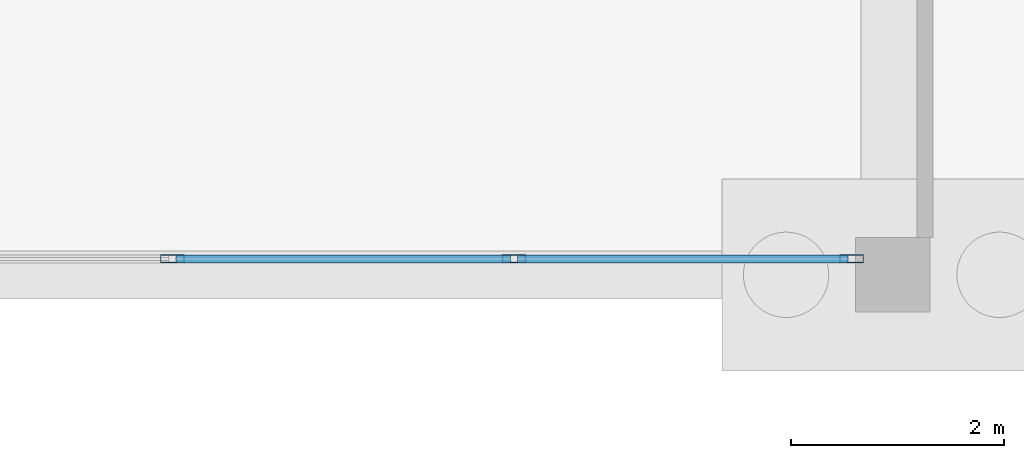
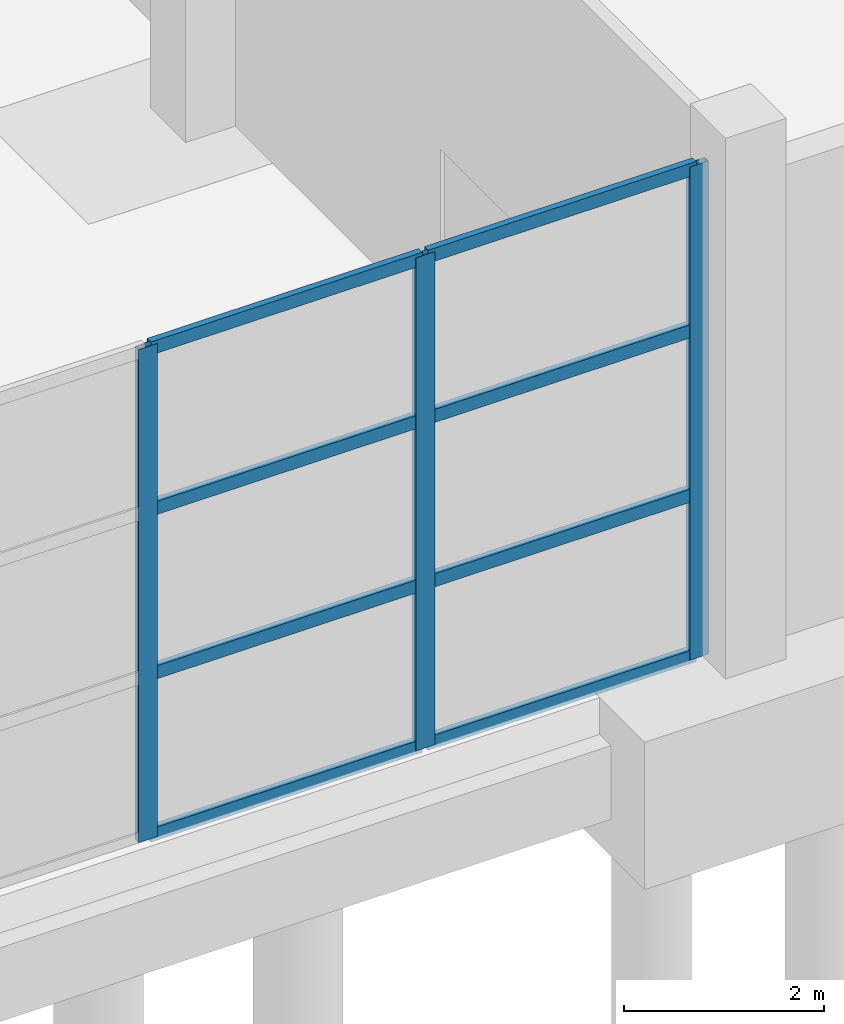
# One storey, part 68 of 115: 11 members, 1 element without a shape of its own.
"""IFC4 building model written with IfcOpenShell, lengths in metres."""

from ifc_helpers import new_model, si_unit, direction, frame, origin, origin_2d, place, context, subcontext, project, spatial, hollow_rectangle, extrude, material, layer, layer_set, material_profile, profile_set, type_object, element, aggregate, save


model = new_model("IFC4")

# Units and contexts
model_context = context("Model", 3, precision=1e-05, world=origin(), true_north=direction((0.0, 1.0)))
body_context = subcontext(model_context, "Body", "Model", "MODEL_VIEW")
ifc_project = project(units=[si_unit("LENGTHUNIT", "METRE"), si_unit("AREAUNIT", "SQUARE_METRE"), si_unit("VOLUMEUNIT", "CUBIC_METRE"), si_unit("PLANEANGLEUNIT", "RADIAN"), si_unit("MASSUNIT", "GRAM", prefix="KILO")], contexts=[model_context])

# Site, building, storey
site_placement = place(None, origin())
site = spatial("IfcSite", under=ifc_project, at=site_placement, CompositionType="ELEMENT")
building_placement = place(site_placement, origin())
building = spatial("IfcBuilding", under=site, at=building_placement, Name="Tamarisk Ironworks Central Station", CompositionType="ELEMENT")
storey_placement = place(building_placement, origin())
storey = spatial("IfcBuildingStorey", under=building, at=storey_placement, Name="L00", CompositionType="ELEMENT", Elevation=0.0)

# Curtain wall, members
ifc_material = material(Name="Anodized aluminium alloy 6063-T6", Category="aluminium")
ifc_layer = layer(ifc_material, 0.179931640625)
ifc_layer_set = layer_set([ifc_layer], Name="Anodized aluminium alloy 6063-T6")
curtain_wall_type = type_object("IfcCurtainWallType", Name="CW-15", PredefinedType="USERDEFINED", material=ifc_layer_set)
curtain_wall_placement = place(storey_placement, origin())
curtain_wall = element("IfcCurtainWall", 1, at=curtain_wall_placement, inside=storey, type_object=curtain_wall_type, Name="South-east annex L00 curtain wall 153", ObjectType="GLAZED CURTAIN WALL", PredefinedType="USERDEFINED")
ifc_material_profile_1 = material_profile(ifc_material, hollow_rectangle(XDim=0.074951171875, YDim=0.219970703125, WallThickness=0.00390625, at=origin_2d()), Name="ALUM 220x75")
ifc_profile_set_1 = profile_set([ifc_material_profile_1], Name="Anodized aluminium alloy 6063-T6")
member_type_1 = type_object("IfcMemberType", Name="CWM-01", PredefinedType="MULLION", material=ifc_profile_set_1)
member_1_placement = place(storey_placement, frame((159.75, 0.14990234375, 0.0), z_axis=(0.0, 0.0, 1.0), x_axis=(0.0, 1.0, 0.0)))
member_1 = element("IfcMember", 2, at=member_1_placement, type_object=member_type_1, Name="CW15 mullion 3", PredefinedType="MULLION", context=body_context, shape_type="SweptSolid", body=[
    extrude(hollow_rectangle(XDim=0.074951171875, YDim=0.219970703125, WallThickness=0.00390625, at=origin_2d()), origin(), (0.0, 0.0, 1.0), 6.02001953125),
])
member_2_placement = place(storey_placement, frame((162.950927734375, 0.14990234375, 0.0), z_axis=(0.0, 0.0, 1.0), x_axis=(0.0, 1.0, 0.0)))
member_2 = element("IfcMember", 3, at=member_2_placement, type_object=member_type_1, Name="CW15 mullion 4", PredefinedType="MULLION", context=body_context, shape_type="SweptSolid", body=[
    extrude(hollow_rectangle(XDim=0.074951171875, YDim=0.219970703125, WallThickness=0.00390625, at=origin_2d()), origin(), (0.0, 0.0, 1.0), 6.02001953125),
])
member_3_placement = place(storey_placement, frame((166.114501953125, 0.14990234375, 0.0), z_axis=(0.0, 0.0, 1.0), x_axis=(0.0, 1.0, 0.0)))
member_3 = element("IfcMember", 4, at=member_3_placement, type_object=member_type_1, Name="CW15 mullion 5", PredefinedType="MULLION", context=body_context, shape_type="SweptSolid", body=[
    extrude(hollow_rectangle(XDim=0.074951171875, YDim=0.219970703125, WallThickness=0.00390625, at=origin_2d()), origin(), (0.0, 0.0, 1.0), 6.02001953125),
])
ifc_material_profile_2 = material_profile(ifc_material, hollow_rectangle(XDim=0.074951171875, YDim=0.159912109375, WallThickness=0.00390625, at=origin_2d()), Name="ALUM 160x75")
ifc_profile_set_2 = profile_set([ifc_material_profile_2], Name="Anodized aluminium alloy 6063-T6")
member_type_2 = type_object("IfcMemberType", Name="CWT-01", PredefinedType="USERDEFINED", material=ifc_profile_set_2)
member_4_placement = place(storey_placement, frame((159.783447265625, 0.14990234375, 0.03759765625), z_axis=(1.0, 0.0, 0.0), x_axis=(0.0, 1.0, 0.0)))
member_4 = element("IfcMember", 5, at=member_4_placement, type_object=member_type_2, Name="CW15 transom 3.1", ObjectType="TRANSOM", PredefinedType="USERDEFINED", context=body_context, shape_type="SweptSolid", body=[
    extrude(hollow_rectangle(XDim=0.074951171875, YDim=0.159912109375, WallThickness=0.00390625, at=origin_2d()), origin(), (0.0, 0.0, 1.0), 3.134033203125),
])
member_5_placement = place(storey_placement, frame((159.783447265625, 0.14990234375, 2.006591796875), z_axis=(1.0, 0.0, 0.0), x_axis=(0.0, 1.0, 0.0)))
member_5 = element("IfcMember", 6, at=member_5_placement, type_object=member_type_2, Name="CW15 transom 3.2", ObjectType="TRANSOM", PredefinedType="USERDEFINED", context=body_context, shape_type="SweptSolid", body=[
    extrude(hollow_rectangle(XDim=0.074951171875, YDim=0.159912109375, WallThickness=0.00390625, at=origin_2d()), origin(), (0.0, 0.0, 1.0), 3.134033203125),
])
member_6_placement = place(storey_placement, frame((159.783447265625, 0.14990234375, 4.01318359375), z_axis=(1.0, 0.0, 0.0), x_axis=(0.0, 1.0, 0.0)))
member_6 = element("IfcMember", 7, at=member_6_placement, type_object=member_type_2, Name="CW15 transom 3.3", ObjectType="TRANSOM", PredefinedType="USERDEFINED", context=body_context, shape_type="SweptSolid", body=[
    extrude(hollow_rectangle(XDim=0.074951171875, YDim=0.159912109375, WallThickness=0.00390625, at=origin_2d()), origin(), (0.0, 0.0, 1.0), 3.134033203125),
])
member_7_placement = place(storey_placement, frame((159.783447265625, 0.14990234375, 5.982421875), z_axis=(1.0, 0.0, 0.0), x_axis=(0.0, 1.0, 0.0)))
member_7 = element("IfcMember", 8, at=member_7_placement, type_object=member_type_2, Name="CW15 transom 3.4", ObjectType="TRANSOM", PredefinedType="USERDEFINED", context=body_context, shape_type="SweptSolid", body=[
    extrude(hollow_rectangle(XDim=0.074951171875, YDim=0.159912109375, WallThickness=0.00390625, at=origin_2d()), origin(), (0.0, 0.0, 1.0), 3.134033203125),
])
member_8_placement = place(storey_placement, frame((162.984619140625, 0.14990234375, 0.03759765625), z_axis=(1.0, 0.0, 0.0), x_axis=(0.0, 1.0, 0.0)))
member_8 = element("IfcMember", 9, at=member_8_placement, type_object=member_type_2, Name="CW15 transom 4.1", ObjectType="TRANSOM", PredefinedType="USERDEFINED", context=body_context, shape_type="SweptSolid", body=[
    extrude(hollow_rectangle(XDim=0.074951171875, YDim=0.159912109375, WallThickness=0.00390625, at=origin_2d()), origin(), (0.0, 0.0, 1.0), 3.096435546875),
])
member_9_placement = place(storey_placement, frame((162.984619140625, 0.14990234375, 2.006591796875), z_axis=(1.0, 0.0, 0.0), x_axis=(0.0, 1.0, 0.0)))
member_9 = element("IfcMember", 10, at=member_9_placement, type_object=member_type_2, Name="CW15 transom 4.2", ObjectType="TRANSOM", PredefinedType="USERDEFINED", context=body_context, shape_type="SweptSolid", body=[
    extrude(hollow_rectangle(XDim=0.074951171875, YDim=0.159912109375, WallThickness=0.00390625, at=origin_2d()), origin(), (0.0, 0.0, 1.0), 3.096435546875),
])
member_10_placement = place(storey_placement, frame((162.984619140625, 0.14990234375, 4.01318359375), z_axis=(1.0, 0.0, 0.0), x_axis=(0.0, 1.0, 0.0)))
member_10 = element("IfcMember", 11, at=member_10_placement, type_object=member_type_2, Name="CW15 transom 4.3", ObjectType="TRANSOM", PredefinedType="USERDEFINED", context=body_context, shape_type="SweptSolid", body=[
    extrude(hollow_rectangle(XDim=0.074951171875, YDim=0.159912109375, WallThickness=0.00390625, at=origin_2d()), origin(), (0.0, 0.0, 1.0), 3.096435546875),
])
member_11_placement = place(storey_placement, frame((162.984619140625, 0.14990234375, 5.982421875), z_axis=(1.0, 0.0, 0.0), x_axis=(0.0, 1.0, 0.0)))
member_11 = element("IfcMember", 12, at=member_11_placement, type_object=member_type_2, Name="CW15 transom 4.4", ObjectType="TRANSOM", PredefinedType="USERDEFINED", context=body_context, shape_type="SweptSolid", body=[
    extrude(hollow_rectangle(XDim=0.074951171875, YDim=0.159912109375, WallThickness=0.00390625, at=origin_2d()), origin(), (0.0, 0.0, 1.0), 3.096435546875),
])
aggregate(curtain_wall, [member_1, member_2, member_3, member_4, member_5, member_6, member_7, member_8, member_9, member_10, member_11])

save(model, "model.ifc")
